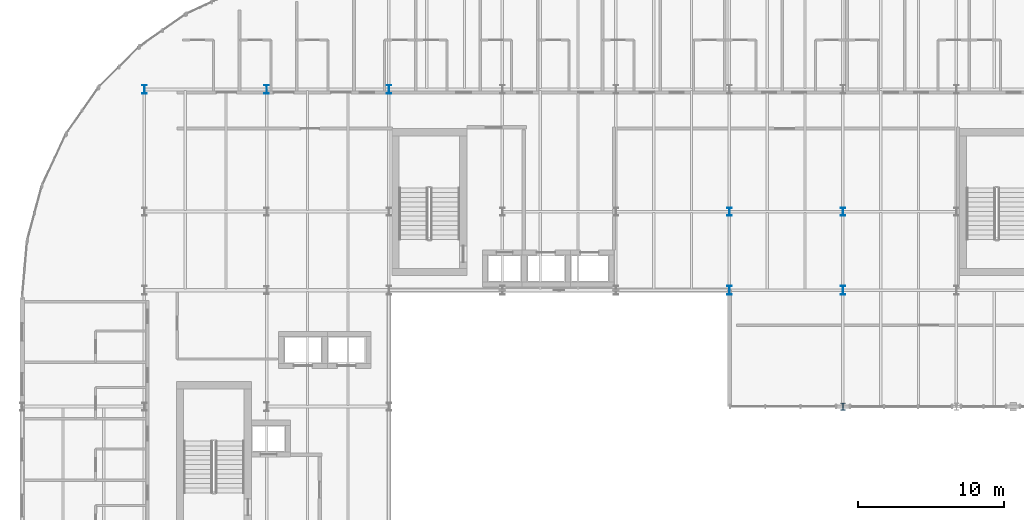
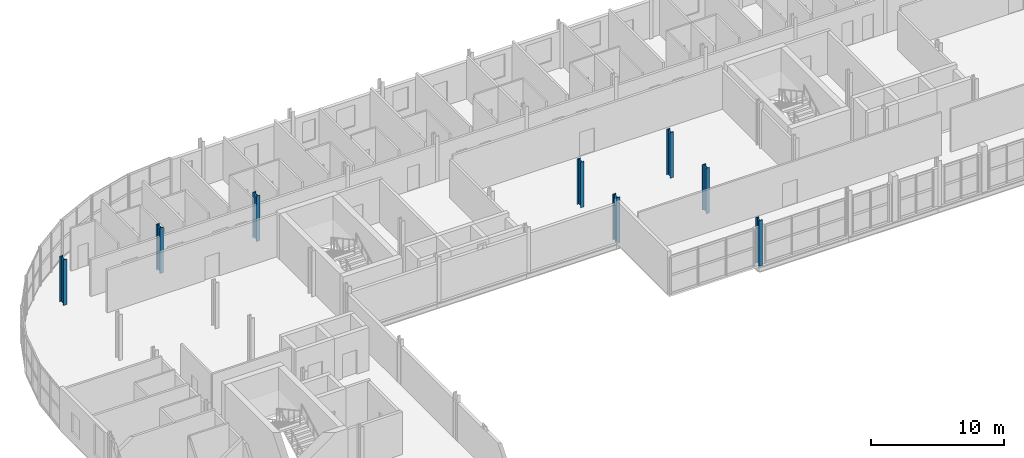
# One storey, part 4 of 45: 8 columns.
"""IFC4 building model written with IfcOpenShell, lengths in metres."""

from ifc_helpers import new_model, si_unit, direction, frame, origin, origin_2d, place, context, subcontext, project, spatial, i_section, extrude, material, material_profile, profile_set, type_object, element, save


model = new_model("IFC4")

# Units and contexts
model_context = context("Model", 3, precision=1e-05, world=origin(), true_north=direction((0.0, 1.0)))
body_context = subcontext(model_context, "Body", "Model", "MODEL_VIEW")
ifc_project = project(units=[si_unit("LENGTHUNIT", "METRE"), si_unit("AREAUNIT", "SQUARE_METRE"), si_unit("VOLUMEUNIT", "CUBIC_METRE"), si_unit("PLANEANGLEUNIT", "RADIAN"), si_unit("MASSUNIT", "GRAM", prefix="KILO")], contexts=[model_context])

# Site, building, storey
site_placement = place(None, origin())
site = spatial("IfcSite", under=ifc_project, at=site_placement, CompositionType="ELEMENT")
building_placement = place(site_placement, origin())
building = spatial("IfcBuilding", under=site, at=building_placement, Name="Sefraquen Railside Congress Hotel", CompositionType="ELEMENT")
storey_placement = place(building_placement, frame((0.0, 0.0, 20.39990234375)))
storey = spatial("IfcBuildingStorey", under=building, at=storey_placement, Name="L04", CompositionType="ELEMENT", Elevation=20.39990234375)

# Columns
ifc_material = material(Name="Steel S355JR", Category="steel")
ifc_material_profile_1 = material_profile(ifc_material, i_section(OverallWidth=0.300048828125, OverallDepth=0.5, WebThickness=0.014404296875, FlangeThickness=0.028076171875, FilletRadius=0.027099609375, at=origin_2d()), Name="HEB 500")
ifc_profile_set_1 = profile_set([ifc_material_profile_1], Name="Steel S355JR")
column_type_1 = type_object("IfcColumnType", Name="TC-HEB-500", PredefinedType="COLUMN", material=ifc_profile_set_1)
column_placement = place(storey_placement, frame((56.39990234375, 88.0, 0.0), z_axis=(0.0, 0.0, 1.0), x_axis=(1.0, 0.0, 0.0)))
element("IfcColumn", 1, at=column_placement, inside=storey, type_object=column_type_1, Name="Structural column 8-L L04", PredefinedType="COLUMN", context=body_context, shape_type="SweptSolid", body=[
    extrude(i_section(OverallWidth=0.300048828125, OverallDepth=0.5, WebThickness=0.014404296875, FlangeThickness=0.028076171875, FilletRadius=0.027099609375, at=origin_2d()), origin(), (0.0, 0.0, 1.0), 4.2001953125),
])
ifc_material_profile_2 = material_profile(ifc_material, i_section(OverallWidth=0.300048828125, OverallDepth=0.550048828125, WebThickness=0.014892578125, FlangeThickness=0.029052734375, FilletRadius=0.027099609375, at=origin_2d()), Name="HEB 550")
ifc_profile_set_2 = profile_set([ifc_material_profile_2], Name="Steel S355JR")
column_type_2 = type_object("IfcColumnType", Name="TC-HEB-550", PredefinedType="COLUMN", material=ifc_profile_set_2)
for number, where, z_axis, x_axis, name in (
    (2, (48.60009765625, 101.39990234375, 0.0), (0.0, 0.0, 1.0), (1.0, 0.0, 0.0), "Structural column 7-N L04"),
    (3, (56.39990234375, 101.39990234375, 0.0), (0.0, 0.0, 1.0), (1.0, 0.0, 0.0), "Structural column 8-N L04"),
):
    element("IfcColumn", number, at=place(storey_placement, frame(where, z_axis=z_axis, x_axis=x_axis)), inside=storey, type_object=column_type_2, Name=name, PredefinedType="COLUMN", context=body_context, shape_type="SweptSolid", body=[
        extrude(i_section(OverallWidth=0.300048828125, OverallDepth=0.550048828125, WebThickness=0.014892578125, FlangeThickness=0.029052734375, FilletRadius=0.027099609375, at=origin_2d()), origin(), (0.0, 0.0, 1.0), 4.2001953125),
    ])
ifc_material_profile_3 = material_profile(ifc_material, i_section(OverallWidth=0.300048828125, OverallDepth=0.60009765625, WebThickness=0.015380859375, FlangeThickness=0.030029296875, FilletRadius=0.027099609375, at=origin_2d()), Name="HEB 600")
ifc_profile_set_3 = profile_set([ifc_material_profile_3], Name="Steel S355JR")
column_type_3 = type_object("IfcColumnType", Name="TC-HEB-600", PredefinedType="COLUMN", material=ifc_profile_set_3)
for number, where, z_axis, x_axis, name in (
    (4, (8.39990234375, 109.800048828125, 0.0), (0.0, 0.0, 1.0), (1.0, 0.0, 0.0), "Structural column 2-P L04"),
    (5, (16.800048828125, 109.800048828125, 0.0), (0.0, 0.0, 1.0), (1.0, 0.0, 0.0), "Structural column 3-P L04"),
    (6, (25.199951171875, 109.800048828125, 0.0), (0.0, 0.0, 1.0), (1.0, 0.0, 0.0), "Structural column 4-P L04"),
    (7, (48.60009765625, 96.0, 0.0), (0.0, 0.0, 1.0), (1.0, 0.0, 0.0), "Structural column 7-M L04"),
    (8, (56.39990234375, 96.0, 0.0), (0.0, 0.0, 1.0), (1.0, 0.0, 0.0), "Structural column 8-M L04"),
):
    element("IfcColumn", number, at=place(storey_placement, frame(where, z_axis=z_axis, x_axis=x_axis)), inside=storey, type_object=column_type_3, Name=name, PredefinedType="COLUMN", context=body_context, shape_type="SweptSolid", body=[
        extrude(i_section(OverallWidth=0.300048828125, OverallDepth=0.60009765625, WebThickness=0.015380859375, FlangeThickness=0.030029296875, FilletRadius=0.027099609375, at=origin_2d()), origin(), (0.0, 0.0, 1.0), 4.2001953125),
    ])

save(model, "model.ifc")
